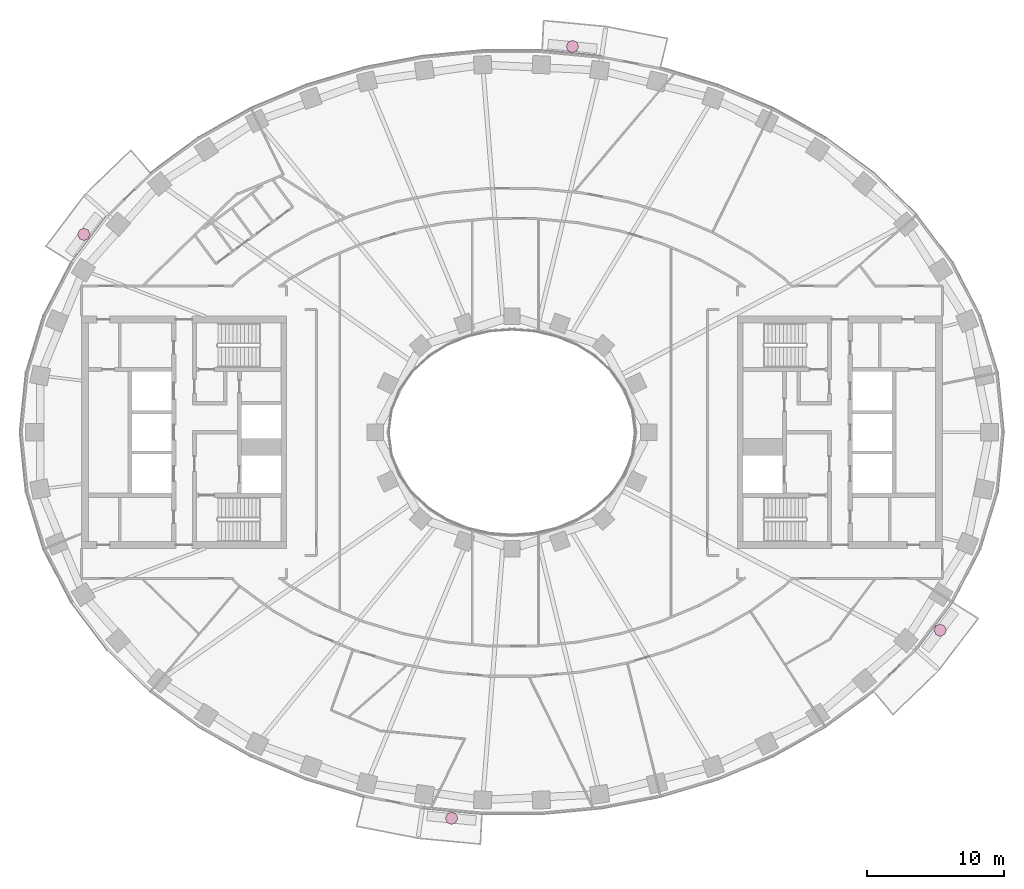
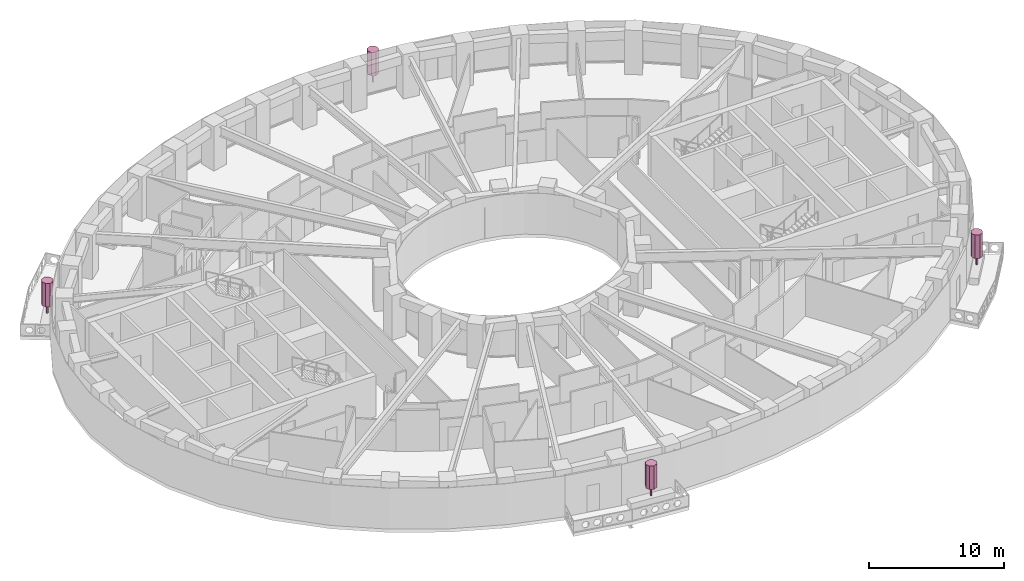
# One storey, part 17 of 17: 4 furnishings.
"""IFC4 building model written with IfcOpenShell, lengths in metres."""

from ifc_helpers import new_model, si_unit, direction, frame, origin, origin_2d, place, context, subcontext, project, spatial, polyline, rectangle, outline, extrude, material, type_object, element, save


model = new_model("IFC4")

# Units and contexts
model_context = context("Model", 3, precision=1e-05, world=origin(), true_north=direction((0.0, 1.0)))
body_context = subcontext(model_context, "Body", "Model", "MODEL_VIEW")
ifc_project = project(units=[si_unit("LENGTHUNIT", "METRE"), si_unit("AREAUNIT", "SQUARE_METRE"), si_unit("VOLUMEUNIT", "CUBIC_METRE"), si_unit("PLANEANGLEUNIT", "RADIAN"), si_unit("MASSUNIT", "GRAM", prefix="KILO")], contexts=[model_context])

# Site, building, storey
site_placement = place(None, origin())
site = spatial("IfcSite", under=ifc_project, at=site_placement, CompositionType="ELEMENT")
building_placement = place(site_placement, origin())
building = spatial("IfcBuilding", under=site, at=building_placement, Name="Noorbagh Ring Tower", CompositionType="ELEMENT")
storey_placement = place(building_placement, frame((0.0, 0.0, 112.0)))
storey = spatial("IfcBuildingStorey", under=building, at=storey_placement, Name="L25", CompositionType="ELEMENT", Elevation=112.0)

# Furnishings
ifc_material = material(Name="Planting foliage green")
furnishing_element_type = type_object("IfcFurnishingElementType", Name="ENV-TREE", material=ifc_material)
for number, where, z_axis, x_axis, name in (
    (1, (4.423828125, 28.2373046875, 0.60009765625), (0.0, 0.0, 1.0), (1.0, 0.0, 0.0), "Tree BN03"),
    (2, (-31.329833984375, 14.4833984375, 0.60009765625), (0.0, 0.0, 1.0), (1.0, 0.0, 0.0), "Tree BN06"),
    (3, (-4.423828125, -28.2373046875, 0.60009765625), (0.0, 0.0, 1.0), (1.0, 0.0, 0.0), "Tree BS03"),
    (4, (31.329833984375, -14.4833984375, 0.60009765625), (0.0, 0.0, 1.0), (1.0, 0.0, 0.0), "Tree BS06"),
):
    element("IfcFurnishingElement", number, at=place(storey_placement, frame(where, z_axis=z_axis, x_axis=x_axis)), inside=storey, type_object=furnishing_element_type, Name=name, context=body_context, shape_type="SweptSolid", body=[
        extrude(rectangle(XDim=0.1201171875, YDim=0.1201171875, at=origin_2d()), origin(), (0.0, 0.0, 1.0), 0.825927734375),
        extrude(outline(polyline([(0.449951171875, 0.0), (0.318115234375, 0.318115234375), (0.0, 0.449951171875), (-0.318115234375, 0.318115234375), (-0.449951171875, 0.0), (-0.318115234375, -0.318115234375), (0.0, -0.449951171875), (0.318115234375, -0.318115234375), (0.449951171875, 0.0)])), frame((0.0, 0.0, 0.825927734375)), (0.0, 0.0, 1.0), 2.1240234375),
    ])

save(model, "model.ifc")
